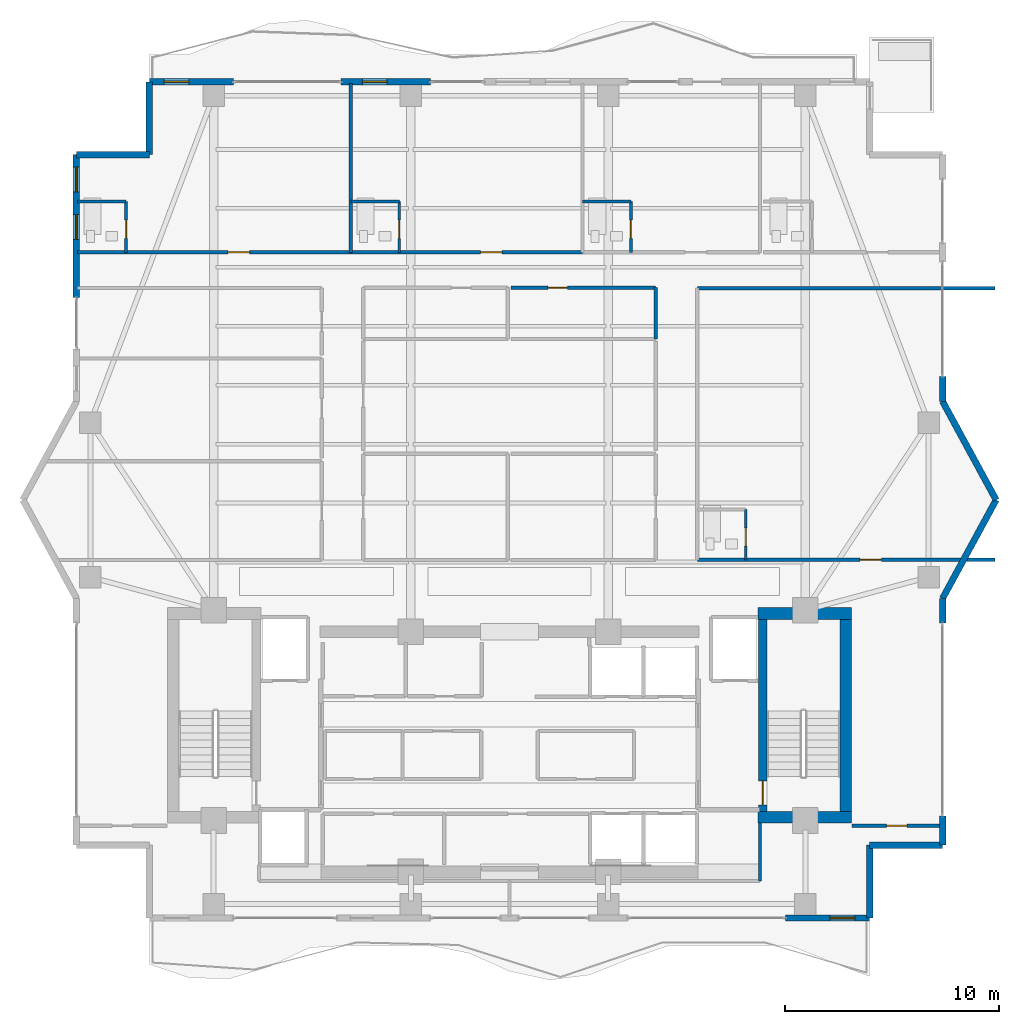
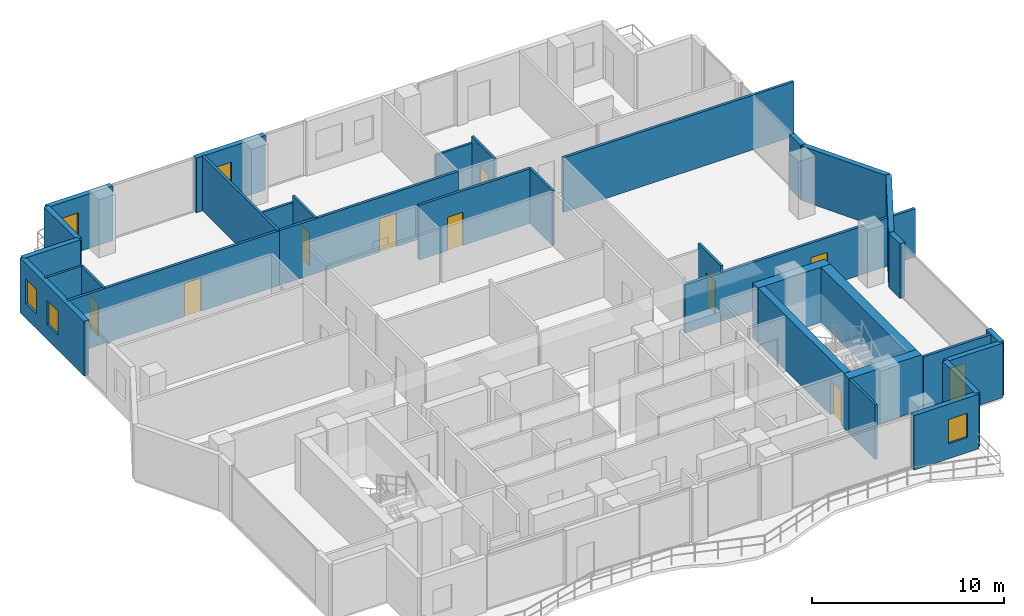
# One storey, part 19 of 23: 33 walls, 10 doors, 5 windows, 15 openings.
"""IFC4 building model written with IfcOpenShell, lengths in metres."""

from ifc_helpers import new_model, si_unit, direction, frame, frame_2d, origin, place, context, subcontext, project, spatial, rectangle, extrude, material, layer, layer_set, type_object, element, fill, save


model = new_model("IFC4")

# Units and contexts
model_context = context("Model", 3, precision=1e-05, world=origin(), true_north=direction((0.0, 1.0)))
body_context = subcontext(model_context, "Body", "Model", "MODEL_VIEW")
ifc_project = project(units=[si_unit("LENGTHUNIT", "METRE"), si_unit("AREAUNIT", "SQUARE_METRE"), si_unit("VOLUMEUNIT", "CUBIC_METRE"), si_unit("PLANEANGLEUNIT", "RADIAN"), si_unit("MASSUNIT", "GRAM", prefix="KILO")], contexts=[model_context])

# Site, building, storey
site_placement = place(None, origin())
site = spatial("IfcSite", under=ifc_project, at=site_placement, CompositionType="ELEMENT")
building_placement = place(site_placement, origin())
building = spatial("IfcBuilding", under=site, at=building_placement, Name="Zuhayl Quay Hotel", CompositionType="ELEMENT")
storey_placement = place(building_placement, frame((0.0, 0.0, 265.550048828125)))
storey = spatial("IfcBuildingStorey", under=building, at=storey_placement, Name="L67", CompositionType="ELEMENT", Elevation=265.550048828125)

# Walls
ifc_material_1 = material(Name="Concrete C50/60", Category="concrete")
ifc_layer_1 = layer(ifc_material_1, 0.550048828125, Name="Concrete C50/60", Category="concrete")
ifc_layer_set_1 = layer_set([ifc_layer_1], Name="Concrete C50/60")
wall_type_1 = type_object("IfcWallType", Name="WL_CORE_550", PredefinedType="SHEAR", material=ifc_layer_set_1)
wall_1_placement = place(storey_placement, frame((11.60009765625, 14.205078125, 0.0), z_axis=(0.0, 0.0, 1.0), x_axis=(1.0, 0.0, 0.0)))
element("IfcWall", 1, at=wall_1_placement, inside=storey, type_object=wall_type_1, Name="L67 Core Shear Wall CW_NE", PredefinedType="SHEAR", context=body_context, shape_type="SweptSolid", body=[
    extrude(rectangle(XDim=4.35986328125, YDim=0.550048828125, at=frame_2d((2.179931640625, 0.0))), origin(), (0.0, 0.0, 1.0), 3.510009765625),
])
wall_2_placement = place(storey_placement, frame((15.68505859375, 4.969970703125, 0.0), z_axis=(0.0, 0.0, 1.0), x_axis=(0.0, 1.0, 0.0)))
element("IfcWall", 2, at=wall_2_placement, inside=storey, type_object=wall_type_1, Name="L67 Core Shear Wall CW_E", PredefinedType="SHEAR", context=body_context, shape_type="SweptSolid", body=[
    extrude(rectangle(XDim=8.9599609375, YDim=0.550048828125, at=frame_2d((4.47998046875, 0.0))), origin(), (0.0, 0.0, 1.0), 3.510009765625),
])
wall_3_placement = place(storey_placement, frame((11.60009765625, 4.695068359375, 0.0), z_axis=(0.0, 0.0, 1.0), x_axis=(1.0, 0.0, 0.0)))
element("IfcWall", 3, at=wall_3_placement, inside=storey, type_object=wall_type_1, Name="L67 Core Shear Wall CW_SE", PredefinedType="SHEAR", context=body_context, shape_type="SweptSolid", body=[
    extrude(rectangle(XDim=4.35986328125, YDim=0.550048828125, at=frame_2d((2.179931640625, 0.0))), origin(), (0.0, 0.0, 1.0), 3.510009765625),
])

# Wall, openings, windows
ifc_material_2 = material(Name="Precast concrete C45/55", Category="concrete")
ifc_layer_2 = layer(ifc_material_2, 0.300048828125, Name="Precast concrete C45/55", Category="concrete")
ifc_layer_set_2 = layer_set([ifc_layer_2], Name="Precast concrete C45/55")
wall_type_2 = type_object("IfcWallType", Name="WL_EXT_300", PredefinedType="STANDARD", material=ifc_layer_set_2)
wall_4_placement = place(storey_placement, frame((-20.199951171875, 28.929931640625, 0.0), z_axis=(0.0, 0.0, 1.0), x_axis=(0.0, 1.0, 0.0)))
wall_4 = element("IfcWall", 4, at=wall_4_placement, inside=storey, type_object=wall_type_2, Name="L67 Exterior Precast Wall ENV_L67_E05_EW2", PredefinedType="STANDARD", context=body_context, shape_type="SweptSolid", body=[
    extrude(rectangle(XDim=6.670166015625, YDim=0.300048828125, at=frame_2d((3.3349609375, 0.0))), origin(), (0.0, 0.0, 1.0), 3.47998046875),
])
opening_1_placement = place(wall_4_placement, frame((2.72509765625, 0.0, 0.949951171875)))
opening_1 = element("IfcOpeningElement", 5, at=opening_1_placement, cuts=wall_4, Name="Opening W01N", PredefinedType="OPENING", context=body_context, shape_type="SweptSolid", body=[
    extrude(rectangle(XDim=1.14990234375, YDim=1.550048828125, at=frame_2d((0.574951171875, 0.77490234375))), frame((0.0, 0.159912109375, 0.0), z_axis=(0.0, -1.0, 0.0), x_axis=(1.0, 0.0, 0.0)), (0.0, 0.0, 1.0), 0.320068359375),
])
opening_2_placement = place(wall_4_placement, frame((4.93994140625, 0.0, 0.949951171875)))
opening_2 = element("IfcOpeningElement", 6, at=opening_2_placement, cuts=wall_4, Name="Opening W01N", PredefinedType="OPENING", context=body_context, shape_type="SweptSolid", body=[
    extrude(rectangle(XDim=1.14990234375, YDim=1.550048828125, at=frame_2d((0.574951171875, 0.77490234375))), frame((0.0, 0.159912109375, 0.0), z_axis=(0.0, -1.0, 0.0), x_axis=(1.0, 0.0, 0.0)), (0.0, 0.0, 1.0), 0.320068359375),
])
ifc_material_3 = material(Name="Dark Ceramic-Fritted Solar Glass", Category="glass")
window_type = type_object("IfcWindowType", Name="WN_NOTCH_1350", PartitioningType="SINGLE_PANEL", PredefinedType="WINDOW", material=ifc_material_3)
window_1_placement = place(opening_1_placement, origin())
window_1 = element("IfcWindow", 7, at=window_1_placement, inside=storey, type_object=window_type, Name="L67 Operable Facade Window 2-1", OverallHeight=1.550048828125, OverallWidth=1.14990234375, PartitioningType="SINGLE_PANEL", PredefinedType="WINDOW", context=body_context, shape_type="SweptSolid", body=[
    extrude(rectangle(XDim=1.14990234375, YDim=1.550048828125, at=frame_2d((0.574951171875, 0.77490234375))), frame((0.0, 0.030029296875, 0.0), z_axis=(0.0, -1.0, 0.0), x_axis=(1.0, 0.0, 0.0)), (0.0, 0.0, 1.0), 0.06005859375),
])
fill(opening_1, window_1)
window_2_placement = place(opening_2_placement, origin())
window_2 = element("IfcWindow", 8, at=window_2_placement, inside=storey, type_object=window_type, Name="L67 Operable Facade Window 2-2", OverallHeight=1.550048828125, OverallWidth=1.14990234375, PartitioningType="SINGLE_PANEL", PredefinedType="WINDOW", context=body_context, shape_type="SweptSolid", body=[
    extrude(rectangle(XDim=1.14990234375, YDim=1.550048828125, at=frame_2d((0.574951171875, 0.77490234375))), frame((0.0, 0.030029296875, 0.0), z_axis=(0.0, -1.0, 0.0), x_axis=(1.0, 0.0, 0.0)), (0.0, 0.0, 1.0), 0.06005859375),
])
fill(opening_2, window_2)

# Walls
for number, where, z_axis, x_axis, name in (
    (9, (-20.199951171875, 35.60009765625, 0.0), (0.0, 0.0, 1.0), (1.0, 0.0, 0.0), "L67 Exterior Precast Wall ENV_L67_EW06"),
    (10, (-16.800048828125, 35.60009765625, 0.0), (0.0, 0.0, 1.0), (0.0, 1.0, 0.0), "L67 Exterior Precast Wall ENV_L67_EW07"),
):
    element("IfcWall", number, at=place(storey_placement, frame(where, z_axis=z_axis, x_axis=x_axis)), inside=storey, type_object=wall_type_2, Name=name, PredefinedType="STANDARD", context=body_context, shape_type="SweptSolid", body=[
        extrude(rectangle(XDim=3.39990234375, YDim=0.300048828125, at=frame_2d((1.699951171875, 0.0))), origin(), (0.0, 0.0, 1.0), 3.47998046875),
    ])

# Wall, opening, window
wall_5_placement = place(storey_placement, frame((-16.800048828125, 39.0, 0.0), z_axis=(0.0, 0.0, 1.0), x_axis=(1.0, 0.0, 0.0)))
wall_5 = element("IfcWall", 11, at=wall_5_placement, inside=storey, type_object=wall_type_2, Name="L67 Exterior Precast Wall ENV_L67_N_EW1", PredefinedType="STANDARD", context=body_context, shape_type="SweptSolid", body=[
    extrude(rectangle(XDim=3.920166015625, YDim=0.300048828125, at=frame_2d((1.9599609375, 0.0))), origin(), (0.0, 0.0, 1.0), 3.47998046875),
])
opening_3_placement = place(wall_5_placement, frame((0.695068359375, 0.0, 0.949951171875)))
opening_3 = element("IfcOpeningElement", 12, at=opening_3_placement, cuts=wall_5, Name="Opening W01N", PredefinedType="OPENING", context=body_context, shape_type="SweptSolid", body=[
    extrude(rectangle(XDim=1.14990234375, YDim=1.550048828125, at=frame_2d((0.574951171875, 0.77490234375))), frame((0.0, 0.159912109375, 0.0), z_axis=(0.0, -1.0, 0.0), x_axis=(1.0, 0.0, 0.0)), (0.0, 0.0, 1.0), 0.320068359375),
])
window_3_placement = place(opening_3_placement, origin())
window_3 = element("IfcWindow", 13, at=window_3_placement, inside=storey, type_object=window_type, Name="L67 Operable Facade Window 1-1", OverallHeight=1.550048828125, OverallWidth=1.14990234375, PartitioningType="SINGLE_PANEL", PredefinedType="WINDOW", context=body_context, shape_type="SweptSolid", body=[
    extrude(rectangle(XDim=1.14990234375, YDim=1.550048828125, at=frame_2d((0.574951171875, 0.77490234375))), frame((0.0, 0.030029296875, 0.0), z_axis=(0.0, -1.0, 0.0), x_axis=(1.0, 0.0, 0.0)), (0.0, 0.0, 1.0), 0.06005859375),
])
fill(opening_3, window_3)

wall_6_placement = place(storey_placement, frame((-7.85009765625, 39.0, 0.0), z_axis=(0.0, 0.0, 1.0), x_axis=(1.0, 0.0, 0.0)))
wall_6 = element("IfcWall", 14, at=wall_6_placement, inside=storey, type_object=wall_type_2, Name="L67 Exterior Precast Wall ENV_L67_N_EW2", PredefinedType="STANDARD", context=body_context, shape_type="SweptSolid", body=[
    extrude(rectangle(XDim=4.170166015625, YDim=0.300048828125, at=frame_2d((2.0849609375, 0.0))), origin(), (0.0, 0.0, 1.0), 3.47998046875),
])
opening_4_placement = place(wall_6_placement, frame((0.985107421875, 0.0, 0.949951171875)))
opening_4 = element("IfcOpeningElement", 15, at=opening_4_placement, cuts=wall_6, Name="Opening W01N", PredefinedType="OPENING", context=body_context, shape_type="SweptSolid", body=[
    extrude(rectangle(XDim=1.14990234375, YDim=1.550048828125, at=frame_2d((0.574951171875, 0.77490234375))), frame((0.0, 0.159912109375, 0.0), z_axis=(0.0, -1.0, 0.0), x_axis=(1.0, 0.0, 0.0)), (0.0, 0.0, 1.0), 0.320068359375),
])
window_4_placement = place(opening_4_placement, origin())
window_4 = element("IfcWindow", 16, at=window_4_placement, inside=storey, type_object=window_type, Name="L67 Operable Facade Window 2-1", OverallHeight=1.550048828125, OverallWidth=1.14990234375, PartitioningType="SINGLE_PANEL", PredefinedType="WINDOW", context=body_context, shape_type="SweptSolid", body=[
    extrude(rectangle(XDim=1.14990234375, YDim=1.550048828125, at=frame_2d((0.574951171875, 0.77490234375))), frame((0.0, 0.030029296875, 0.0), z_axis=(0.0, -1.0, 0.0), x_axis=(1.0, 0.0, 0.0)), (0.0, 0.0, 1.0), 0.06005859375),
])
fill(opening_4, window_4)

# Walls
wall_7_placement = place(storey_placement, frame((20.199951171875, 25.25, 0.0), z_axis=(0.0, 0.0, 1.0), x_axis=(0.0, -1.0, 0.0)))
element("IfcWall", 17, at=wall_7_placement, inside=storey, type_object=wall_type_2, Name="L67 Exterior Precast Wall ENV_L67_E11_EW3", PredefinedType="STANDARD", context=body_context, shape_type="SweptSolid", body=[
    extrude(rectangle(XDim=1.14990234375, YDim=0.300048828125, at=frame_2d((0.574951171875, 0.0))), origin(), (0.0, 0.0, 1.0), 3.47998046875),
])
for number, where, z_axis, x_axis, name in (
    (18, (20.199951171875, 24.10009765625, 0.0), (0.0, 0.0, 1.0), (0.477505494629, -0.878628762675, 0.0), "L67 Exterior Precast Wall ENV_L67_EW12"),
    (19, (22.699951171875, 19.5, 0.0), (0.0, 0.0, 1.0), (-0.477505494629, -0.878628762675, 0.0), "L67 Exterior Precast Wall ENV_L67_EW13"),
):
    element("IfcWall", number, at=place(storey_placement, frame(where, z_axis=z_axis, x_axis=x_axis)), inside=storey, type_object=wall_type_2, Name=name, PredefinedType="STANDARD", context=body_context, shape_type="SweptSolid", body=[
        extrude(rectangle(XDim=5.235595703125, YDim=0.300048828125, at=frame_2d((2.61767578125, 0.0))), origin(), (0.0, 0.0, 1.0), 3.47998046875),
    ])
wall_8_placement = place(storey_placement, frame((20.199951171875, 14.89990234375, 0.0), z_axis=(0.0, 0.0, 1.0), x_axis=(0.0, -1.0, 0.0)))
element("IfcWall", 20, at=wall_8_placement, inside=storey, type_object=wall_type_2, Name="L67 Exterior Precast Wall ENV_L67_E14_EW1", PredefinedType="STANDARD", context=body_context, shape_type="SweptSolid", body=[
    extrude(rectangle(XDim=1.14990234375, YDim=0.300048828125, at=frame_2d((0.574951171875, 0.0))), origin(), (0.0, 0.0, 1.0), 3.47998046875),
])
wall_9_placement = place(storey_placement, frame((20.199951171875, 4.75, 0.0), z_axis=(0.0, 0.0, 1.0), x_axis=(0.0, -1.0, 0.0)))
element("IfcWall", 21, at=wall_9_placement, inside=storey, type_object=wall_type_2, Name="L67 Exterior Precast Wall ENV_L67_E14_EW2", PredefinedType="STANDARD", context=body_context, shape_type="SweptSolid", body=[
    extrude(rectangle(XDim=1.35009765625, YDim=0.300048828125, at=frame_2d((0.675048828125, 0.0))), origin(), (0.0, 0.0, 1.0), 3.47998046875),
])
for number, where, z_axis, x_axis, name in (
    (22, (20.199951171875, 3.39990234375, 0.0), (0.0, 0.0, 1.0), (-1.0, 0.0, 0.0), "L67 Exterior Precast Wall ENV_L67_EW15"),
    (23, (16.800048828125, 3.39990234375, 0.0), (0.0, 0.0, 1.0), (0.0, -1.0, 0.0), "L67 Exterior Precast Wall ENV_L67_EW16"),
):
    element("IfcWall", number, at=place(storey_placement, frame(where, z_axis=z_axis, x_axis=x_axis)), inside=storey, type_object=wall_type_2, Name=name, PredefinedType="STANDARD", context=body_context, shape_type="SweptSolid", body=[
        extrude(rectangle(XDim=3.39990234375, YDim=0.300048828125, at=frame_2d((1.699951171875, 0.0))), origin(), (0.0, 0.0, 1.0), 3.47998046875),
    ])

# Wall, opening, window
wall_10_placement = place(storey_placement, frame((16.800048828125, 0.0, 0.0), z_axis=(0.0, 0.0, 1.0), x_axis=(-1.0, 0.0, 0.0)))
wall_10 = element("IfcWall", 24, at=wall_10_placement, inside=storey, type_object=wall_type_2, Name="L67 Exterior Precast Wall ENV_L67_S_EW1", PredefinedType="STANDARD", context=body_context, shape_type="SweptSolid", body=[
    extrude(rectangle(XDim=3.920166015625, YDim=0.300048828125, at=frame_2d((1.9599609375, 0.0))), origin(), (0.0, 0.0, 1.0), 3.47998046875),
])
opening_5_placement = place(wall_10_placement, frame((0.695068359375, 0.0, 0.949951171875)))
opening_5 = element("IfcOpeningElement", 25, at=opening_5_placement, cuts=wall_10, Name="Opening W01N", PredefinedType="OPENING", context=body_context, shape_type="SweptSolid", body=[
    extrude(rectangle(XDim=1.14990234375, YDim=1.550048828125, at=frame_2d((0.574951171875, 0.77490234375))), frame((0.0, 0.159912109375, 0.0), z_axis=(0.0, -1.0, 0.0), x_axis=(1.0, 0.0, 0.0)), (0.0, 0.0, 1.0), 0.320068359375),
])
window_5_placement = place(opening_5_placement, origin())
window_5 = element("IfcWindow", 26, at=window_5_placement, inside=storey, type_object=window_type, Name="L67 Operable Facade Window 1-1", OverallHeight=1.550048828125, OverallWidth=1.14990234375, PartitioningType="SINGLE_PANEL", PredefinedType="WINDOW", context=body_context, shape_type="SweptSolid", body=[
    extrude(rectangle(XDim=1.14990234375, YDim=1.550048828125, at=frame_2d((0.574951171875, 0.77490234375))), frame((0.0, 0.030029296875, 0.0), z_axis=(0.0, -1.0, 0.0), x_axis=(1.0, 0.0, 0.0)), (0.0, 0.0, 1.0), 0.06005859375),
])
fill(opening_5, window_5)

# Walls
ifc_material_4 = material(Name="Acoustic Gypsum Partition STC-58")
ifc_layer_3 = layer(ifc_material_4, 0.14990234375, Name="Acoustic Gypsum Partition STC-58")
ifc_layer_set_3 = layer_set([ifc_layer_3], Name="Acoustic Gypsum Partition STC-58")
wall_type_3 = type_object("IfcWallType", Name="WL_PART_150", PredefinedType="PARTITIONING", material=ifc_layer_set_3)
wall_11_placement = place(storey_placement, frame((11.679931640625, 1.719970703125, 0.0), z_axis=(0.0, 0.0, 1.0), x_axis=(0.0, 1.0, 0.0)))
element("IfcWall", 27, at=wall_11_placement, inside=storey, type_object=wall_type_3, Name="L67 Partition IW_L67_Z4_SUN_SE_IN", PredefinedType="PARTITIONING", context=body_context, shape_type="SweptSolid", body=[
    extrude(rectangle(XDim=2.699951171875, YDim=0.14990234375, at=frame_2d((1.35009765625, 0.0))), origin(), (0.0, 0.0, 1.0), 3.47998046875),
])
wall_12_placement = place(storey_placement, frame((-7.39990234375, 31.050048828125, 0.0), z_axis=(0.0, 0.0, 1.0), x_axis=(0.0, 1.0, 0.0)))
element("IfcWall", 28, at=wall_12_placement, inside=storey, type_object=wall_type_3, Name="L67 Partition IW_L67_NU01_E", PredefinedType="PARTITIONING", context=body_context, shape_type="SweptSolid", body=[
    extrude(rectangle(XDim=7.869873046875, YDim=0.14990234375, at=frame_2d((3.93505859375, 0.0))), origin(), (0.0, 0.0, 1.0), 3.47998046875),
])
wall_13_placement = place(storey_placement, frame((6.820068359375, 27.0, 0.0), z_axis=(0.0, 0.0, 1.0), x_axis=(0.0, 1.0, 0.0)))
element("IfcWall", 29, at=wall_13_placement, inside=storey, type_object=wall_type_3, Name="L67 Partition IW_L67_TEA_MAIN_E", PredefinedType="PARTITIONING", context=body_context, shape_type="SweptSolid", body=[
    extrude(rectangle(XDim=2.39990234375, YDim=0.14990234375, at=frame_2d((1.199951171875, 0.0))), origin(), (0.0, 0.0, 1.0), 3.47998046875),
])

# Wall, opening, door
ifc_layer_4 = layer(ifc_material_4, 0.159912109375, Name="Acoustic Gypsum Partition STC-58")
ifc_layer_set_4 = layer_set([ifc_layer_4], Name="Acoustic Gypsum Partition STC-58")
wall_type_4 = type_object("IfcWallType", Name="WL_PART_CORR_160", PredefinedType="PARTITIONING", material=ifc_layer_set_4)
wall_14_placement = place(storey_placement, frame((15.97998046875, 4.300048828125, 0.0), z_axis=(0.0, 0.0, 1.0), x_axis=(1.0, 0.0, 0.0)))
wall_14 = element("IfcWall", 30, at=wall_14_placement, inside=storey, type_object=wall_type_4, Name="L67 Partition IW_L67_Z4_SUN_SE_N", PredefinedType="PARTITIONING", context=body_context, shape_type="SweptSolid", body=[
    extrude(rectangle(XDim=4.159912109375, YDim=0.159912109375, at=frame_2d((2.080078125, 0.0))), origin(), (0.0, 0.0, 1.0), 3.47998046875),
])
opening_6_placement = place(wall_14_placement, frame((1.60498046875, 0.0, 0.0)))
opening_6 = element("IfcOpeningElement", 31, at=opening_6_placement, cuts=wall_14, Name="Opening D03", PredefinedType="OPENING", context=body_context, shape_type="SweptSolid", body=[
    extrude(rectangle(XDim=0.949951171875, YDim=2.14990234375, at=frame_2d((0.47509765625, 1.074951171875))), frame((0.0, 0.08984375, 0.0), z_axis=(0.0, -1.0, 0.0), x_axis=(1.0, 0.0, 0.0)), (0.0, 0.0, 1.0), 0.179931640625),
])
ifc_material_5 = material(Name="Solid Walnut Acoustic Fire Door")
door_type_1 = type_object("IfcDoorType", Name="DR_SUITE_950", OperationType="NOTDEFINED", PredefinedType="DOOR", material=ifc_material_5)
door_1_placement = place(opening_6_placement, origin())
door_1 = element("IfcDoor", 32, at=door_1_placement, inside=storey, type_object=door_type_1, Name="L67 Sunset Salon SE Door", OperationType="SINGLE_SWING_RIGHT", OverallHeight=2.14990234375, OverallWidth=0.949951171875, PredefinedType="DOOR", context=body_context, shape_type="SweptSolid", body=[
    extrude(rectangle(XDim=0.949951171875, YDim=2.14990234375, at=frame_2d((0.47509765625, 1.074951171875))), frame((0.0, 0.02490234375, 0.0), z_axis=(0.0, -1.0, 0.0), x_axis=(1.0, 0.0, 0.0)), (0.0, 0.0, 1.0), 0.050048828125),
])
fill(opening_6, door_1)

wall_15_placement = place(storey_placement, frame((-20.139892578125, 31.050048828125, 0.0), z_axis=(0.0, 0.0, 1.0), x_axis=(1.0, 0.0, 0.0)))
wall_15 = element("IfcWall", 33, at=wall_15_placement, inside=storey, type_object=wall_type_4, Name="L67 Partition IW_L67_NU01_COR", PredefinedType="PARTITIONING", context=body_context, shape_type="SweptSolid", body=[
    extrude(rectangle(XDim=12.739990234375, YDim=0.159912109375, at=frame_2d((6.3701171875, 0.0))), origin(), (0.0, 0.0, 1.0), 3.47998046875),
])
opening_7_placement = place(wall_15_placement, frame((7.02001953125, 0.0, 0.0)))
opening_7 = element("IfcOpeningElement", 34, at=opening_7_placement, cuts=wall_15, Name="Opening D03L", PredefinedType="OPENING", context=body_context, shape_type="SweptSolid", body=[
    extrude(rectangle(XDim=1.0, YDim=2.14990234375, at=frame_2d((0.5, 1.074951171875))), frame((0.0, 0.08984375, 0.0), z_axis=(0.0, -1.0, 0.0), x_axis=(1.0, 0.0, 0.0)), (0.0, 0.0, 1.0), 0.179931640625),
])
door_type_2 = type_object("IfcDoorType", Name="DR_SUITE_1000", OperationType="NOTDEFINED", PredefinedType="DOOR", material=ifc_material_5)
door_2_placement = place(opening_7_placement, origin())
door_2 = element("IfcDoor", 35, at=door_2_placement, inside=storey, type_object=door_type_2, Name="L67 Royal Gulf Suite L67-01 Entrance Door", OperationType="SINGLE_SWING_RIGHT", OverallHeight=2.14990234375, OverallWidth=1.0, PredefinedType="DOOR", context=body_context, shape_type="SweptSolid", body=[
    extrude(rectangle(XDim=1.0, YDim=2.14990234375, at=frame_2d((0.5, 1.074951171875))), frame((0.0, 0.02490234375, 0.0), z_axis=(0.0, -1.0, 0.0), x_axis=(1.0, 0.0, 0.0)), (0.0, 0.0, 1.0), 0.050048828125),
])
fill(opening_7, door_2)

wall_16_placement = place(storey_placement, frame((-7.39990234375, 31.050048828125, 0.0), z_axis=(0.0, 0.0, 1.0), x_axis=(1.0, 0.0, 0.0)))
wall_16 = element("IfcWall", 36, at=wall_16_placement, inside=storey, type_object=wall_type_4, Name="L67 Partition IW_L67_NU02_COR", PredefinedType="PARTITIONING", context=body_context, shape_type="SweptSolid", body=[
    extrude(rectangle(XDim=10.7998046875, YDim=0.159912109375, at=frame_2d((5.39990234375, 0.0))), origin(), (0.0, 0.0, 1.0), 3.47998046875),
])
opening_8_placement = place(wall_16_placement, frame((6.050048828125, 0.0, 0.0)))
opening_8 = element("IfcOpeningElement", 37, at=opening_8_placement, cuts=wall_16, Name="Opening D03L", PredefinedType="OPENING", context=body_context, shape_type="SweptSolid", body=[
    extrude(rectangle(XDim=1.0, YDim=2.14990234375, at=frame_2d((0.5, 1.074951171875))), frame((0.0, 0.08984375, 0.0), z_axis=(0.0, -1.0, 0.0), x_axis=(1.0, 0.0, 0.0)), (0.0, 0.0, 1.0), 0.179931640625),
])
door_3_placement = place(opening_8_placement, origin())
door_3 = element("IfcDoor", 38, at=door_3_placement, inside=storey, type_object=door_type_2, Name="L67 Royal Gulf Suite L67-02 Entrance Door", OperationType="SINGLE_SWING_RIGHT", OverallHeight=2.14990234375, OverallWidth=1.0, PredefinedType="DOOR", context=body_context, shape_type="SweptSolid", body=[
    extrude(rectangle(XDim=1.0, YDim=2.14990234375, at=frame_2d((0.5, 1.074951171875))), frame((0.0, 0.02490234375, 0.0), z_axis=(0.0, -1.0, 0.0), x_axis=(1.0, 0.0, 0.0)), (0.0, 0.0, 1.0), 0.050048828125),
])
fill(opening_8, door_3)

wall_17_placement = place(storey_placement, frame((0.080078125, 29.39990234375, 0.0), z_axis=(0.0, 0.0, 1.0), x_axis=(1.0, 0.0, 0.0)))
wall_17 = element("IfcWall", 39, at=wall_17_placement, inside=storey, type_object=wall_type_4, Name="L67 Partition IW_L67_TEA_MAIN_N", PredefinedType="PARTITIONING", context=body_context, shape_type="SweptSolid", body=[
    extrude(rectangle(XDim=6.739990234375, YDim=0.159912109375, at=frame_2d((3.3701171875, 0.0))), origin(), (0.0, 0.0, 1.0), 3.47998046875),
])
opening_9_placement = place(wall_17_placement, frame((1.7099609375, 0.0, 0.0)))
opening_9 = element("IfcOpeningElement", 40, at=opening_9_placement, cuts=wall_17, Name="Opening D05", PredefinedType="OPENING", context=body_context, shape_type="SweptSolid", body=[
    extrude(rectangle(XDim=0.919921875, YDim=2.1201171875, at=frame_2d((0.4599609375, 1.06005859375))), frame((0.0, 0.08984375, 0.0), z_axis=(0.0, -1.0, 0.0), x_axis=(1.0, 0.0, 0.0)), (0.0, 0.0, 1.0), 0.179931640625),
])
door_type_3 = type_object("IfcDoorType", Name="DR_INT_950", OperationType="NOTDEFINED", PredefinedType="DOOR", material=ifc_material_5)
door_4_placement = place(opening_9_placement, origin())
door_4 = element("IfcDoor", 41, at=door_4_placement, inside=storey, type_object=door_type_3, Name="L67 Floor Beverage Pantry Door", OperationType="SINGLE_SWING_RIGHT", OverallHeight=2.1201171875, OverallWidth=0.919921875, PredefinedType="DOOR", context=body_context, shape_type="SweptSolid", body=[
    extrude(rectangle(XDim=0.919921875, YDim=2.1201171875, at=frame_2d((0.4599609375, 1.06005859375))), frame((0.0, 0.02490234375, 0.0), z_axis=(0.0, -1.0, 0.0), x_axis=(1.0, 0.0, 0.0)), (0.0, 0.0, 1.0), 0.050048828125),
])
fill(opening_9, door_4)

wall_18_placement = place(storey_placement, frame((8.760009765625, 16.699951171875, 0.0), z_axis=(0.0, 0.0, 1.0), x_axis=(1.0, 0.0, 0.0)))
wall_18 = element("IfcWall", 42, at=wall_18_placement, inside=storey, type_object=wall_type_4, Name="L67 Partition IW_L67_EU01_COR", PredefinedType="PARTITIONING", context=body_context, shape_type="SweptSolid", body=[
    extrude(rectangle(XDim=13.8798828125, YDim=0.159912109375, at=frame_2d((6.93994140625, 0.0))), origin(), (0.0, 0.0, 1.0), 3.075927734375),
])
opening_10_placement = place(wall_18_placement, frame((7.590087890625, 0.0, 0.0)))
opening_10 = element("IfcOpeningElement", 43, at=opening_10_placement, cuts=wall_18, Name="Opening D03L", PredefinedType="OPENING", context=body_context, shape_type="SweptSolid", body=[
    extrude(rectangle(XDim=1.0, YDim=2.14990234375, at=frame_2d((0.5, 1.074951171875))), frame((0.0, 0.08984375, 0.0), z_axis=(0.0, -1.0, 0.0), x_axis=(1.0, 0.0, 0.0)), (0.0, 0.0, 1.0), 0.179931640625),
])
door_5_placement = place(opening_10_placement, origin())
door_5 = element("IfcDoor", 44, at=door_5_placement, inside=storey, type_object=door_type_2, Name="L67 Grand Horizon East Suite L67 Entrance Door", OperationType="SINGLE_SWING_RIGHT", OverallHeight=2.14990234375, OverallWidth=1.0, PredefinedType="DOOR", context=body_context, shape_type="SweptSolid", body=[
    extrude(rectangle(XDim=1.0, YDim=2.14990234375, at=frame_2d((0.5, 1.074951171875))), frame((0.0, 0.02490234375, 0.0), z_axis=(0.0, -1.0, 0.0), x_axis=(1.0, 0.0, 0.0)), (0.0, 0.0, 1.0), 0.050048828125),
])
fill(opening_10, door_5)

# Wall
wall_19_placement = place(storey_placement, frame((8.760009765625, 29.3798828125, 0.0), z_axis=(0.0, 0.0, 1.0), x_axis=(1.0, 0.0, 0.0)))
element("IfcWall", 45, at=wall_19_placement, inside=storey, type_object=wall_type_4, Name="L67 Partition IW_L67_EU01_BK", PredefinedType="PARTITIONING", context=body_context, shape_type="SweptSolid", body=[
    extrude(rectangle(XDim=13.8798828125, YDim=0.159912109375, at=frame_2d((6.93994140625, 0.0))), origin(), (0.0, 0.0, 1.0), 3.47998046875),
])

# Wall, opening, door
ifc_material_6 = material(Name="Moisture-Resistant Sanitarychase Gypsum")
ifc_layer_5 = layer(ifc_material_6, 0.135009765625, Name="Moisture-Resistant Sanitarychase Gypsum")
ifc_layer_set_5 = layer_set([ifc_layer_5], Name="Moisture-Resistant Sanitarychase Gypsum")
wall_type_5 = type_object("IfcWallType", Name="WL_PART_PLUMB_150", PredefinedType="PLUMBINGWALL", material=ifc_layer_set_5)
wall_20_placement = place(storey_placement, frame((-17.8798828125, 31.050048828125, 0.0), z_axis=(0.0, 0.0, 1.0), x_axis=(0.0, 1.0, 0.0)))
wall_20 = element("IfcWall", 46, at=wall_20_placement, inside=storey, type_object=wall_type_5, Name="L67 Partition IW_L67_NU01_BE", PredefinedType="PLUMBINGWALL", context=body_context, shape_type="SweptSolid", body=[
    extrude(rectangle(XDim=2.35986328125, YDim=0.135009765625, at=frame_2d((1.179931640625, 0.0))), origin(), (0.0, 0.0, 1.0), 3.47998046875),
])
opening_11_placement = place(wall_20_placement, frame((0.64990234375, 0.0, 0.0)))
opening_11 = element("IfcOpeningElement", 47, at=opening_11_placement, cuts=wall_20, Name="Opening D04", PredefinedType="OPENING", context=body_context, shape_type="SweptSolid", body=[
    extrude(rectangle(XDim=0.85009765625, YDim=2.10009765625, at=frame_2d((0.425048828125, 1.050048828125))), frame((0.0, 0.077392578125, 0.0), z_axis=(0.0, -1.0, 0.0), x_axis=(1.0, 0.0, 0.0)), (0.0, 0.0, 1.0), 0.155029296875),
])
ifc_material_7 = material(Name="Moisture-Resistant Walnut Veneer")
door_type_4 = type_object("IfcDoorType", Name="DR_BATH_850", OperationType="NOTDEFINED", PredefinedType="DOOR", material=ifc_material_7)
door_6_placement = place(opening_11_placement, origin())
door_6 = element("IfcDoor", 48, at=door_6_placement, inside=storey, type_object=door_type_4, Name="L67 Royal Gulf Suite L67-01 En-Suite Door", OperationType="SINGLE_SWING_LEFT", OverallHeight=2.10009765625, OverallWidth=0.85009765625, PredefinedType="DOOR", context=body_context, shape_type="SweptSolid", body=[
    extrude(rectangle(XDim=0.85009765625, YDim=2.10009765625, at=frame_2d((0.425048828125, 1.050048828125))), frame((0.0, 0.02490234375, 0.0), z_axis=(0.0, -1.0, 0.0), x_axis=(1.0, 0.0, 0.0)), (0.0, 0.0, 1.0), 0.050048828125),
])
fill(opening_11, door_6)

wall_21_placement = place(storey_placement, frame((-5.139892578125, 31.050048828125, 0.0), z_axis=(0.0, 0.0, 1.0), x_axis=(0.0, 1.0, 0.0)))
wall_21 = element("IfcWall", 49, at=wall_21_placement, inside=storey, type_object=wall_type_5, Name="L67 Partition IW_L67_NU02_BE", PredefinedType="PLUMBINGWALL", context=body_context, shape_type="SweptSolid", body=[
    extrude(rectangle(XDim=2.35986328125, YDim=0.135009765625, at=frame_2d((1.179931640625, 0.0))), origin(), (0.0, 0.0, 1.0), 3.47998046875),
])
opening_12_placement = place(wall_21_placement, frame((0.64990234375, 0.0, 0.0)))
opening_12 = element("IfcOpeningElement", 50, at=opening_12_placement, cuts=wall_21, Name="Opening D04", PredefinedType="OPENING", context=body_context, shape_type="SweptSolid", body=[
    extrude(rectangle(XDim=0.85009765625, YDim=2.10009765625, at=frame_2d((0.425048828125, 1.050048828125))), frame((0.0, 0.077392578125, 0.0), z_axis=(0.0, -1.0, 0.0), x_axis=(1.0, 0.0, 0.0)), (0.0, 0.0, 1.0), 0.155029296875),
])
door_7_placement = place(opening_12_placement, origin())
door_7 = element("IfcDoor", 51, at=door_7_placement, inside=storey, type_object=door_type_4, Name="L67 Royal Gulf Suite L67-02 En-Suite Door", OperationType="SINGLE_SWING_LEFT", OverallHeight=2.10009765625, OverallWidth=0.85009765625, PredefinedType="DOOR", context=body_context, shape_type="SweptSolid", body=[
    extrude(rectangle(XDim=0.85009765625, YDim=2.10009765625, at=frame_2d((0.425048828125, 1.050048828125))), frame((0.0, 0.02490234375, 0.0), z_axis=(0.0, -1.0, 0.0), x_axis=(1.0, 0.0, 0.0)), (0.0, 0.0, 1.0), 0.050048828125),
])
fill(opening_12, door_7)

wall_22_placement = place(storey_placement, frame((5.659912109375, 31.050048828125, 0.0), z_axis=(0.0, 0.0, 1.0), x_axis=(0.0, 1.0, 0.0)))
wall_22 = element("IfcWall", 52, at=wall_22_placement, inside=storey, type_object=wall_type_5, Name="L67 Partition IW_L67_NU03A_BE", PredefinedType="PLUMBINGWALL", context=body_context, shape_type="SweptSolid", body=[
    extrude(rectangle(XDim=2.35986328125, YDim=0.135009765625, at=frame_2d((1.179931640625, 0.0))), origin(), (0.0, 0.0, 1.0), 3.47998046875),
])
opening_13_placement = place(wall_22_placement, frame((0.64990234375, 0.0, 0.0)))
opening_13 = element("IfcOpeningElement", 53, at=opening_13_placement, cuts=wall_22, Name="Opening D04", PredefinedType="OPENING", context=body_context, shape_type="SweptSolid", body=[
    extrude(rectangle(XDim=0.85009765625, YDim=2.10009765625, at=frame_2d((0.425048828125, 1.050048828125))), frame((0.0, 0.077392578125, 0.0), z_axis=(0.0, -1.0, 0.0), x_axis=(1.0, 0.0, 0.0)), (0.0, 0.0, 1.0), 0.155029296875),
])
door_8_placement = place(opening_13_placement, origin())
door_8 = element("IfcDoor", 54, at=door_8_placement, inside=storey, type_object=door_type_4, Name="L67 Royal Gulf Suite L67-03A En-Suite Door", OperationType="SINGLE_SWING_LEFT", OverallHeight=2.10009765625, OverallWidth=0.85009765625, PredefinedType="DOOR", context=body_context, shape_type="SweptSolid", body=[
    extrude(rectangle(XDim=0.85009765625, YDim=2.10009765625, at=frame_2d((0.425048828125, 1.050048828125))), frame((0.0, 0.02490234375, 0.0), z_axis=(0.0, -1.0, 0.0), x_axis=(1.0, 0.0, 0.0)), (0.0, 0.0, 1.0), 0.050048828125),
])
fill(opening_13, door_8)

wall_23_placement = place(storey_placement, frame((11.02001953125, 16.699951171875, 0.0), z_axis=(0.0, 0.0, 1.0), x_axis=(0.0, 1.0, 0.0)))
wall_23 = element("IfcWall", 55, at=wall_23_placement, inside=storey, type_object=wall_type_5, Name="L67 Partition IW_L67_EU01_BE", PredefinedType="PLUMBINGWALL", context=body_context, shape_type="SweptSolid", body=[
    extrude(rectangle(XDim=2.360107421875, YDim=0.135009765625, at=frame_2d((1.18017578125, 0.0))), origin(), (0.0, 0.0, 1.0), 3.47998046875),
])
opening_14_placement = place(wall_23_placement, frame((0.64990234375, 0.0, 0.0)))
opening_14 = element("IfcOpeningElement", 56, at=opening_14_placement, cuts=wall_23, Name="Opening D04", PredefinedType="OPENING", context=body_context, shape_type="SweptSolid", body=[
    extrude(rectangle(XDim=0.85009765625, YDim=2.10009765625, at=frame_2d((0.425048828125, 1.050048828125))), frame((0.0, 0.077392578125, 0.0), z_axis=(0.0, -1.0, 0.0), x_axis=(1.0, 0.0, 0.0)), (0.0, 0.0, 1.0), 0.155029296875),
])
door_9_placement = place(opening_14_placement, origin())
door_9 = element("IfcDoor", 57, at=door_9_placement, inside=storey, type_object=door_type_4, Name="L67 Grand Horizon East Suite L67 En-Suite Door", OperationType="SINGLE_SWING_LEFT", OverallHeight=2.10009765625, OverallWidth=0.85009765625, PredefinedType="DOOR", context=body_context, shape_type="SweptSolid", body=[
    extrude(rectangle(XDim=0.85009765625, YDim=2.10009765625, at=frame_2d((0.425048828125, 1.050048828125))), frame((0.0, 0.02490234375, 0.0), z_axis=(0.0, -1.0, 0.0), x_axis=(1.0, 0.0, 0.0)), (0.0, 0.0, 1.0), 0.050048828125),
])
fill(opening_14, door_9)

# Walls
wall_24_placement = place(storey_placement, frame((-20.139892578125, 33.409912109375, 0.0), z_axis=(0.0, 0.0, 1.0), x_axis=(1.0, 0.0, 0.0)))
element("IfcWall", 58, at=wall_24_placement, inside=storey, type_object=wall_type_5, Name="L67 Partition IW_L67_NU01_BN", PredefinedType="PLUMBINGWALL", context=body_context, shape_type="SweptSolid", body=[
    extrude(rectangle(XDim=2.260009765625, YDim=0.135009765625, at=frame_2d((1.1298828125, 0.0))), origin(), (0.0, 0.0, 1.0), 3.47998046875),
])
for number, where, z_axis, x_axis, name in (
    (59, (-7.39990234375, 33.409912109375, 0.0), (0.0, 0.0, 1.0), (1.0, 0.0, 0.0), "L67 Partition IW_L67_NU02_BN"),
    (60, (3.39990234375, 33.409912109375, 0.0), (0.0, 0.0, 1.0), (1.0, 0.0, 0.0), "L67 Partition IW_L67_NU03A_BN"),
):
    element("IfcWall", number, at=place(storey_placement, frame(where, z_axis=z_axis, x_axis=x_axis)), inside=storey, type_object=wall_type_5, Name=name, PredefinedType="PLUMBINGWALL", context=body_context, shape_type="SweptSolid", body=[
        extrude(rectangle(XDim=2.260009765625, YDim=0.135009765625, at=frame_2d((1.1298828125, 0.0))), origin(), (0.0, 0.0, 1.0), 3.075927734375),
    ])

# Wall, opening, door
ifc_material_8 = material(Name="Concrete C60/75", Category="concrete")
ifc_layer_6 = layer(ifc_material_8, 0.39990234375, Name="Concrete C60/75", Category="concrete")
ifc_layer_set_6 = layer_set([ifc_layer_6], Name="Concrete C60/75")
wall_type_6 = type_object("IfcWallType", Name="WL_STAIR_400", PredefinedType="SHEAR", material=ifc_layer_set_6)
wall_25_placement = place(storey_placement, frame((11.820068359375, 13.929931640625, 0.0), z_axis=(0.0, 0.0, 1.0), x_axis=(0.0, -1.0, 0.0)))
wall_25 = element("IfcWall", 61, at=wall_25_placement, inside=storey, type_object=wall_type_6, Name="L67 Core Shear Wall SW_ST2", PredefinedType="SHEAR", context=body_context, shape_type="SweptSolid", body=[
    extrude(rectangle(XDim=8.9599609375, YDim=0.39990234375, at=frame_2d((4.47998046875, 0.0))), origin(), (0.0, 0.0, 1.0), 3.510009765625),
])
opening_15_placement = place(wall_25_placement, frame((7.530029296875, 0.0, 0.0)))
opening_15 = element("IfcOpeningElement", 62, at=opening_15_placement, cuts=wall_25, Name="Opening D01", PredefinedType="OPENING", context=body_context, shape_type="SweptSolid", body=[
    extrude(rectangle(XDim=1.1201171875, YDim=2.219970703125, at=frame_2d((0.56005859375, 1.10986328125))), frame((0.0, 0.2099609375, 0.0), z_axis=(0.0, -1.0, 0.0), x_axis=(1.0, 0.0, 0.0)), (0.0, 0.0, 1.0), 0.419921875),
])
ifc_material_9 = material(Name="Steel ASTM A992 Grade 50", Category="steel")
door_type_5 = type_object("IfcDoorType", Name="DR_STAIR_90_1100", OperationType="NOTDEFINED", PredefinedType="DOOR", material=ifc_material_9)
door_10_placement = place(opening_15_placement, origin())
door_10 = element("IfcDoor", 63, at=door_10_placement, inside=storey, type_object=door_type_5, Name="L67 Smokeproof Exit Stair ST2 Door", OperationType="SINGLE_SWING_RIGHT", OverallHeight=2.219970703125, OverallWidth=1.1201171875, PredefinedType="DOOR", context=body_context, shape_type="SweptSolid", body=[
    extrude(rectangle(XDim=1.1201171875, YDim=2.219970703125, at=frame_2d((0.56005859375, 1.10986328125))), frame((0.0, 0.02490234375, 0.0), z_axis=(0.0, -1.0, 0.0), x_axis=(1.0, 0.0, 0.0)), (0.0, 0.0, 1.0), 0.050048828125),
])
fill(opening_15, door_10)

save(model, "model.ifc")
